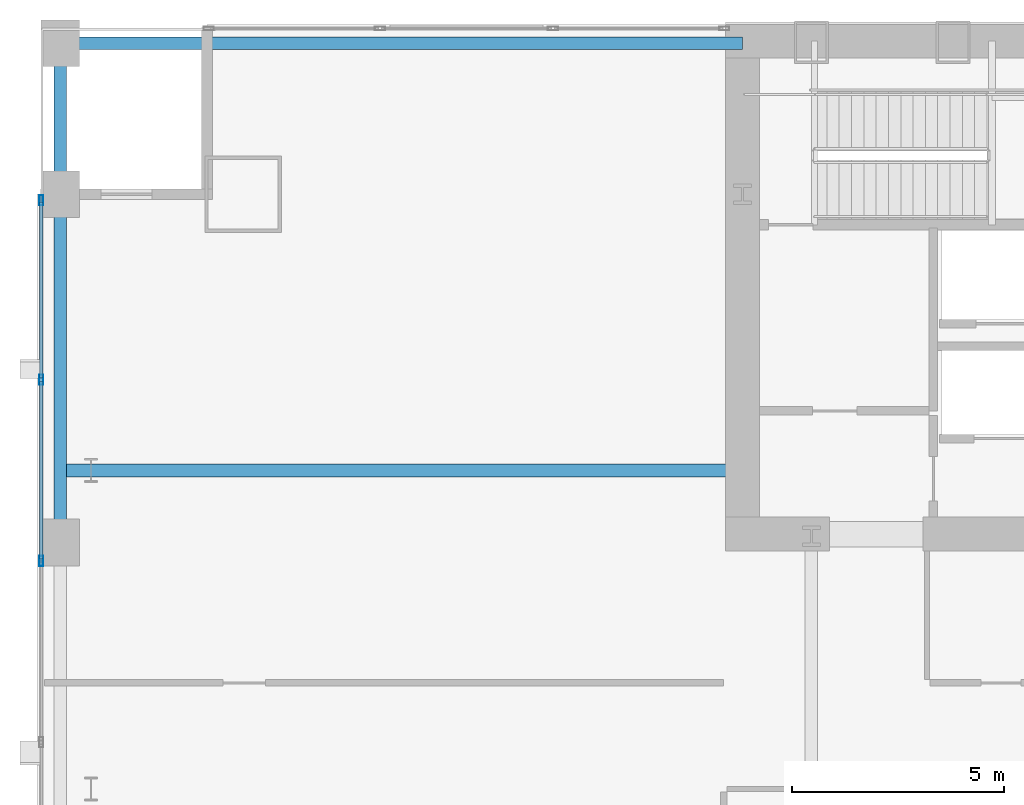
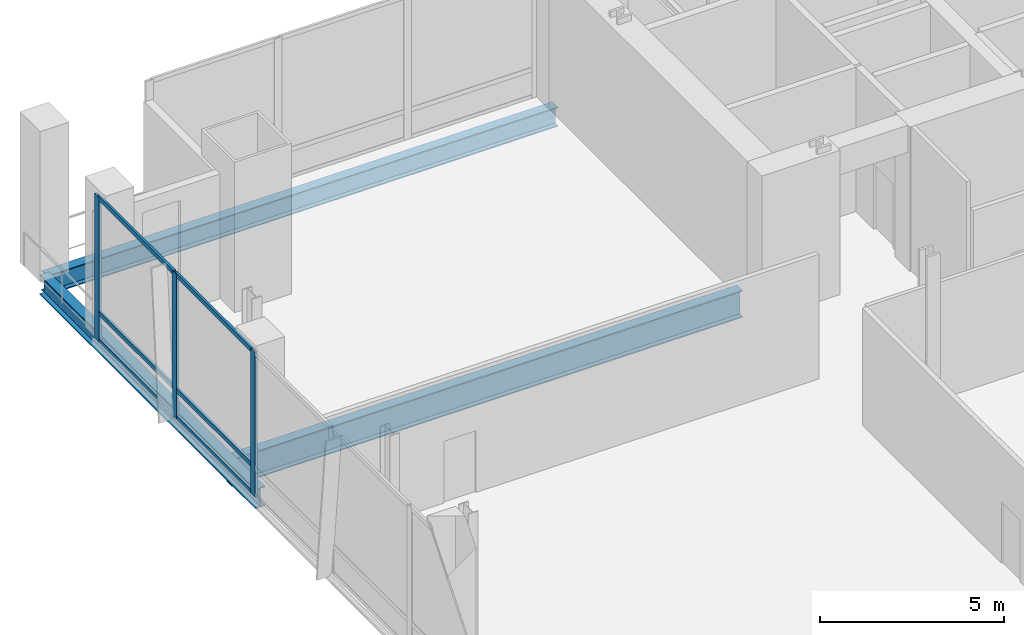
# One storey, part 10 of 26: 9 members, 3 beams, 1 element without a shape of its own.
"""IFC4 building model written with IfcOpenShell, lengths in metres."""

from ifc_helpers import new_model, si_unit, direction, frame, origin, origin_2d, place, context, subcontext, project, spatial, hollow_rectangle, i_section, extrude, material, material_profile, profile_set, type_object, element, aggregate, save


model = new_model("IFC4")

# Units and contexts
model_context = context("Model", 3, precision=1e-05, world=origin(), true_north=direction((0.0, 1.0)))
body_context = subcontext(model_context, "Body", "Model", "MODEL_VIEW")
ifc_project = project(units=[si_unit("LENGTHUNIT", "METRE"), si_unit("AREAUNIT", "SQUARE_METRE"), si_unit("VOLUMEUNIT", "CUBIC_METRE"), si_unit("PLANEANGLEUNIT", "RADIAN"), si_unit("MASSUNIT", "GRAM", prefix="KILO")], contexts=[model_context])

# Site, building, storey
site_placement = place(None, origin())
site = spatial("IfcSite", under=ifc_project, at=site_placement, CompositionType="ELEMENT")
building_placement = place(site_placement, origin())
building = spatial("IfcBuilding", under=site, at=building_placement, Name="Khoronbel Lancet Exchange", CompositionType="ELEMENT")
storey_placement = place(building_placement, frame((0.0, 0.0, 5.39990234375)))
storey = spatial("IfcBuildingStorey", under=building, at=storey_placement, Name="L01", CompositionType="ELEMENT", Elevation=5.39990234375)

# Beams
ifc_material_1 = material(Name="Steel S355", Category="steel")
ifc_material_profile_1 = material_profile(ifc_material_1, i_section(OverallWidth=0.300048828125, OverallDepth=0.89990234375, WebThickness=0.0185546875, FlangeThickness=0.034912109375, at=origin_2d()), Name="HEB 900")
ifc_profile_set_1 = profile_set([ifc_material_profile_1], Name="Steel S355")
beam_type_1 = type_object("IfcBeamType", Name="BM-BG1", PredefinedType="BEAM", material=ifc_profile_set_1)
beam_1_placement = place(storey_placement, frame((0.550048828125, 43.199951171875, -0.64990234375), z_axis=(1.0, 0.0, 0.0), x_axis=(0.0, 1.0, 0.0)))
element("IfcBeam", 1, at=beam_1_placement, inside=storey, type_object=beam_type_1, Name="Level L01 west lens tie girder LG3W", PredefinedType="BEAM", context=body_context, shape_type="SweptSolid", body=[
    extrude(i_section(OverallWidth=0.300048828125, OverallDepth=0.89990234375, WebThickness=0.0185546875, FlangeThickness=0.034912109375, at=origin_2d()), origin(), (0.0, 0.0, 1.0), 16.050048828125),
])
ifc_material_profile_2 = material_profile(ifc_material_1, i_section(OverallWidth=0.300048828125, OverallDepth=0.64990234375, WebThickness=0.01611328125, FlangeThickness=0.031005859375, at=origin_2d()), Name="HEB 650")
ifc_profile_set_2 = profile_set([ifc_material_profile_2], Name="Steel S355")
beam_type_2 = type_object("IfcBeamType", Name="BM-BSP1", PredefinedType="SPANDREL", material=ifc_profile_set_2)
beam_2_placement = place(storey_placement, frame((16.60009765625, 53.25, -0.52490234375), z_axis=(-1.0, 0.0, 0.0), x_axis=(0.0, -1.0, 0.0)))
element("IfcBeam", 2, at=beam_2_placement, inside=storey, type_object=beam_type_2, Name="Level L01 perimeter spandrel beam SP14", PredefinedType="SPANDREL", context=body_context, shape_type="SweptSolid", body=[
    extrude(i_section(OverallWidth=0.300048828125, OverallDepth=0.64990234375, WebThickness=0.01611328125, FlangeThickness=0.031005859375, at=origin_2d()), origin(), (0.0, 0.0, 1.0), 16.050048828125),
])
beam_3_placement = place(storey_placement, frame((0.550048828125, 53.25, -0.52490234375), z_axis=(0.0, -1.0, 0.0), x_axis=(1.0, 0.0, 0.0)))
element("IfcBeam", 3, at=beam_3_placement, inside=storey, type_object=beam_type_2, Name="Level L01 perimeter spandrel beam SP15", PredefinedType="SPANDREL", context=body_context, shape_type="SweptSolid", body=[
    extrude(i_section(OverallWidth=0.300048828125, OverallDepth=0.64990234375, WebThickness=0.01611328125, FlangeThickness=0.031005859375, at=origin_2d()), origin(), (0.0, 0.0, 1.0), 11.75),
])

# Curtain wall, members
ifc_material_2 = material(Name="Low-E Solar Control Insulating Glass", Category="glass")
curtain_wall_type = type_object("IfcCurtainWallType", Name="CW-5", PredefinedType="NOTDEFINED", material=ifc_material_2)
curtain_wall_placement = place(storey_placement, origin())
curtain_wall = element("IfcCurtainWall", 4, at=curtain_wall_placement, inside=storey, type_object=curtain_wall_type, Name="Unitised curtain wall CW-L01-WEST", PredefinedType="NOTDEFINED")
ifc_material_3 = material(Name="Bronze-Anodised Aluminium 6063-T6", Category="aluminium")
ifc_material_profile_3 = material_profile(ifc_material_3, hollow_rectangle(XDim=0.0849609375, YDim=0.239990234375, WallThickness=0.006103515625, at=origin_2d()), Name="ALU MULLION 85x240")
ifc_profile_set_3 = profile_set([ifc_material_profile_3], Name="Bronze-Anodised Aluminium 6063-T6")
member_type_1 = type_object("IfcMemberType", Name="MEM-CWM1", PredefinedType="MULLION", material=ifc_profile_set_3)
member_1_placement = place(storey_placement, frame((0.10009765625, 49.5576171875, 0.0), z_axis=(0.0, 0.0, 1.0), x_axis=(1.0, 0.0, 0.0)))
member_1 = element("IfcMember", 5, at=member_1_placement, type_object=member_type_1, Name="CW5 mullion 1", PredefinedType="MULLION", context=body_context, shape_type="SweptSolid", body=[
    extrude(hollow_rectangle(XDim=0.0849609375, YDim=0.239990234375, WallThickness=0.006103515625, at=origin_2d()), origin(), (0.0, 0.0, 1.0), 4.800048828125),
])
member_2_placement = place(storey_placement, frame((0.10009765625, 45.333251953125, 0.0), z_axis=(0.0, 0.0, 1.0), x_axis=(1.0, 0.0, 0.0)))
member_2 = element("IfcMember", 6, at=member_2_placement, type_object=member_type_1, Name="CW5 mullion 2", PredefinedType="MULLION", context=body_context, shape_type="SweptSolid", body=[
    extrude(hollow_rectangle(XDim=0.0849609375, YDim=0.239990234375, WallThickness=0.006103515625, at=origin_2d()), origin(), (0.0, 0.0, 1.0), 4.800048828125),
])
member_3_placement = place(storey_placement, frame((0.10009765625, 41.066650390625, 0.0), z_axis=(0.0, 0.0, 1.0), x_axis=(1.0, 0.0, 0.0)))
member_3 = element("IfcMember", 7, at=member_3_placement, type_object=member_type_1, Name="CW5 mullion 3", PredefinedType="MULLION", context=body_context, shape_type="SweptSolid", body=[
    extrude(hollow_rectangle(XDim=0.0849609375, YDim=0.239990234375, WallThickness=0.006103515625, at=origin_2d()), origin(), (0.0, 0.0, 1.0), 4.800048828125),
])
ifc_material_profile_4 = material_profile(ifc_material_3, hollow_rectangle(XDim=0.074951171875, YDim=0.14990234375, WallThickness=0.00439453125, at=origin_2d()), Name="ALU TRANSOM 75x150")
ifc_profile_set_4 = profile_set([ifc_material_profile_4], Name="Bronze-Anodised Aluminium 6063-T6")
member_type_2 = type_object("IfcMemberType", Name="MEM-CWT2", PredefinedType="USERDEFINED", material=ifc_profile_set_4)
member_4_placement = place(storey_placement, frame((0.10009765625, 49.514892578125, 0.03759765625), z_axis=(0.0, -1.0, 0.0), x_axis=(1.0, 0.0, 0.0)))
member_4 = element("IfcMember", 8, at=member_4_placement, type_object=member_type_2, Name="CW5 transom 1.1", ObjectType="TRANSOM", PredefinedType="USERDEFINED", context=body_context, shape_type="SweptSolid", body=[
    extrude(hollow_rectangle(XDim=0.074951171875, YDim=0.14990234375, WallThickness=0.00439453125, at=origin_2d()), origin(), (0.0, 0.0, 1.0), 4.13916015625),
])
member_5_placement = place(storey_placement, frame((0.10009765625, 49.514892578125, 0.9501953125), z_axis=(0.0, -1.0, 0.0), x_axis=(1.0, 0.0, 0.0)))
member_5 = element("IfcMember", 9, at=member_5_placement, type_object=member_type_2, Name="CW5 transom 1.2", ObjectType="TRANSOM", PredefinedType="USERDEFINED", context=body_context, shape_type="SweptSolid", body=[
    extrude(hollow_rectangle(XDim=0.074951171875, YDim=0.14990234375, WallThickness=0.00439453125, at=origin_2d()), origin(), (0.0, 0.0, 1.0), 4.13916015625),
])
member_6_placement = place(storey_placement, frame((0.10009765625, 49.514892578125, 4.7626953125), z_axis=(0.0, -1.0, 0.0), x_axis=(1.0, 0.0, 0.0)))
member_6 = element("IfcMember", 10, at=member_6_placement, type_object=member_type_2, Name="CW5 transom 1.3", ObjectType="TRANSOM", PredefinedType="USERDEFINED", context=body_context, shape_type="SweptSolid", body=[
    extrude(hollow_rectangle(XDim=0.074951171875, YDim=0.14990234375, WallThickness=0.00439453125, at=origin_2d()), origin(), (0.0, 0.0, 1.0), 4.13916015625),
])
member_7_placement = place(storey_placement, frame((0.10009765625, 45.290771484375, 0.03759765625), z_axis=(0.0, -1.0, 0.0), x_axis=(1.0, 0.0, 0.0)))
member_7 = element("IfcMember", 11, at=member_7_placement, type_object=member_type_2, Name="CW5 transom 2.1", ObjectType="TRANSOM", PredefinedType="USERDEFINED", context=body_context, shape_type="SweptSolid", body=[
    extrude(hollow_rectangle(XDim=0.074951171875, YDim=0.14990234375, WallThickness=0.00439453125, at=origin_2d()), origin(), (0.0, 0.0, 1.0), 4.181640625),
])
member_8_placement = place(storey_placement, frame((0.10009765625, 45.290771484375, 0.9501953125), z_axis=(0.0, -1.0, 0.0), x_axis=(1.0, 0.0, 0.0)))
member_8 = element("IfcMember", 12, at=member_8_placement, type_object=member_type_2, Name="CW5 transom 2.2", ObjectType="TRANSOM", PredefinedType="USERDEFINED", context=body_context, shape_type="SweptSolid", body=[
    extrude(hollow_rectangle(XDim=0.074951171875, YDim=0.14990234375, WallThickness=0.00439453125, at=origin_2d()), origin(), (0.0, 0.0, 1.0), 4.181640625),
])
member_9_placement = place(storey_placement, frame((0.10009765625, 45.290771484375, 4.7626953125), z_axis=(0.0, -1.0, 0.0), x_axis=(1.0, 0.0, 0.0)))
member_9 = element("IfcMember", 13, at=member_9_placement, type_object=member_type_2, Name="CW5 transom 2.3", ObjectType="TRANSOM", PredefinedType="USERDEFINED", context=body_context, shape_type="SweptSolid", body=[
    extrude(hollow_rectangle(XDim=0.074951171875, YDim=0.14990234375, WallThickness=0.00439453125, at=origin_2d()), origin(), (0.0, 0.0, 1.0), 4.181640625),
])
aggregate(curtain_wall, [member_1, member_2, member_3, member_4, member_5, member_6, member_7, member_8, member_9])

save(model, "model.ifc")
